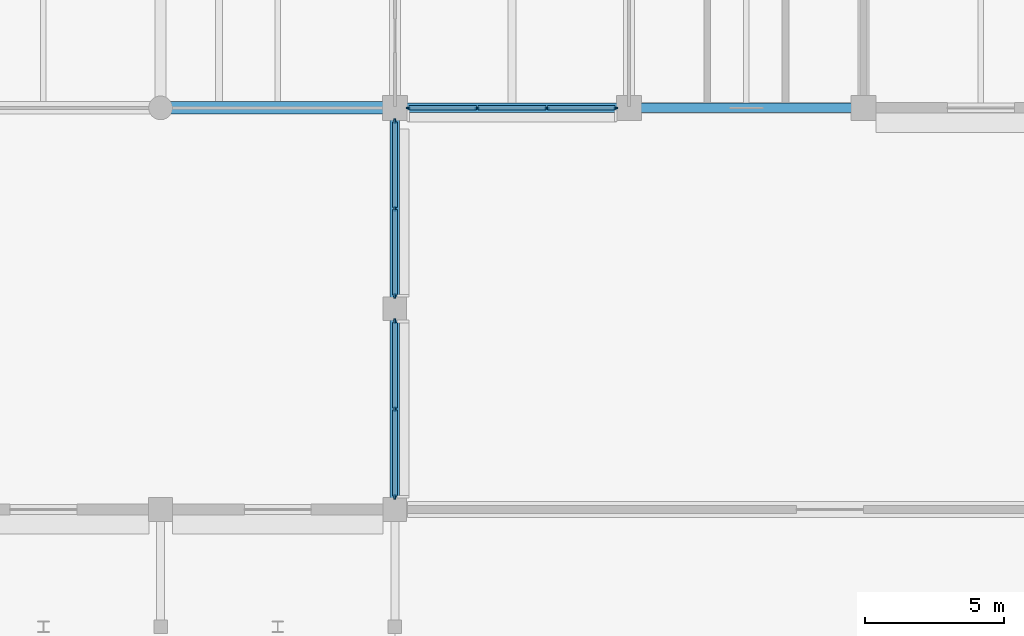
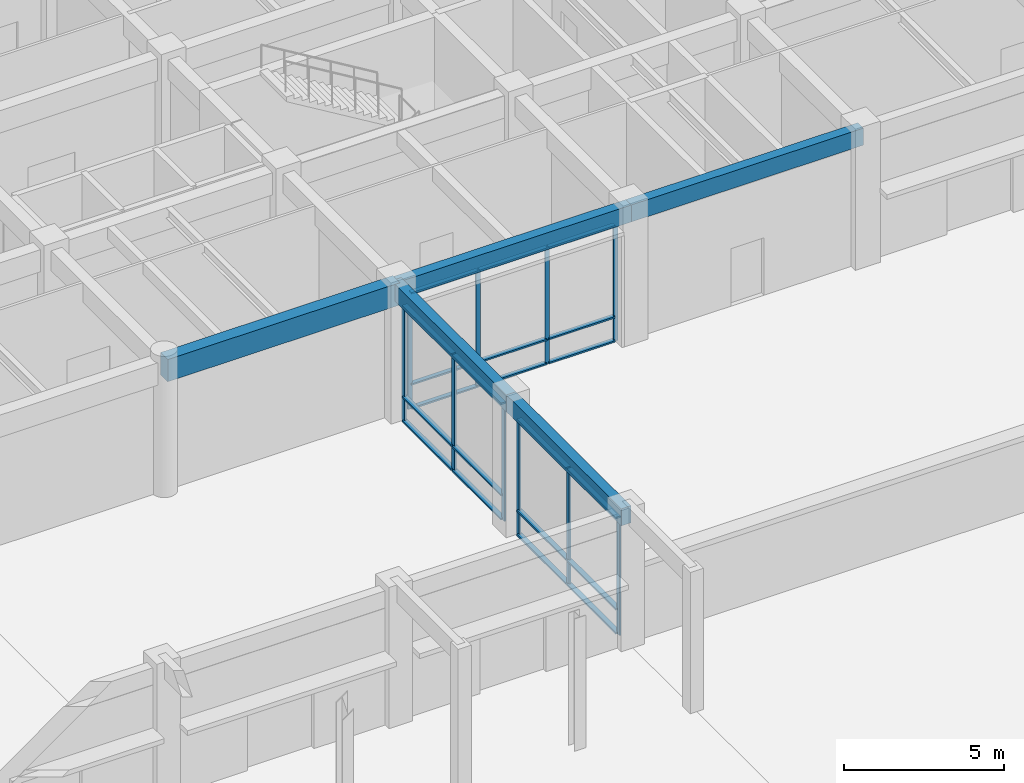
# One storey, part 22 of 73: 31 members, 5 beams, 3 elements without a shape of their own.
"""IFC4 building model written with IfcOpenShell, lengths in metres."""

from ifc_helpers import new_model, si_unit, direction, frame, origin, origin_2d, place, context, subcontext, project, spatial, rectangle, extrude, material, layer, layer_set, material_profile, profile_set, type_object, element, aggregate, save


model = new_model("IFC4")

# Units and contexts
model_context = context("Model", 3, precision=1e-05, world=origin(), true_north=direction((0.0, 1.0)))
body_context = subcontext(model_context, "Body", "Model", "MODEL_VIEW")
ifc_project = project(units=[si_unit("LENGTHUNIT", "METRE"), si_unit("AREAUNIT", "SQUARE_METRE"), si_unit("VOLUMEUNIT", "CUBIC_METRE"), si_unit("PLANEANGLEUNIT", "RADIAN"), si_unit("MASSUNIT", "GRAM", prefix="KILO")], contexts=[model_context])

# Site, building, storey
site_placement = place(None, origin())
site = spatial("IfcSite", under=ifc_project, at=site_placement, CompositionType="ELEMENT")
building_placement = place(site_placement, origin())
building = spatial("IfcBuilding", under=site, at=building_placement, Name="Chengyuan Square Courthouse", CompositionType="ELEMENT")
storey_placement = place(building_placement, origin())
storey = spatial("IfcBuildingStorey", under=building, at=storey_placement, Name="L01", CompositionType="ELEMENT", Elevation=0.0)

# Beams
ifc_material_1 = material(Name="Concrete C40", Category="concrete")
ifc_material_profile_1 = material_profile(ifc_material_1, rectangle(XDim=0.449951171875, YDim=0.85009765625, at=origin_2d()), Name="RC-BM-450x850")
ifc_profile_set_1 = profile_set([ifc_material_profile_1], Name="Concrete C40")
beam_type_1 = type_object("IfcBeamType", Name="BM-01", PredefinedType="USERDEFINED", material=ifc_profile_set_1)
beam_1_placement = place(storey_placement, frame((92.39990234375, 79.199951171875, 4.695068359375), z_axis=(1.0, 0.0, 0.0), x_axis=(0.0, 1.0, 0.0)))
element("IfcBeam", 1, at=beam_1_placement, inside=storey, type_object=beam_type_1, Name="Girder BM-L01-1700", ObjectType="GIRDER", PredefinedType="USERDEFINED", context=body_context, shape_type="SweptSolid", body=[
    extrude(rectangle(XDim=0.449951171875, YDim=0.85009765625, at=origin_2d()), origin(), (0.0, 0.0, 1.0), 8.400146484375),
])
ifc_material_profile_2 = material_profile(ifc_material_1, rectangle(XDim=0.35009765625, YDim=0.64990234375, at=origin_2d()), Name="RC-BM-350x650")
ifc_profile_set_2 = profile_set([ifc_material_profile_2], Name="Concrete C40")
beam_type_2 = type_object("IfcBeamType", Name="BM-03", PredefinedType="SPANDREL", material=ifc_profile_set_2)
beam_2_placement = place(storey_placement, frame((100.800048828125, 79.199951171875, 4.794921875), z_axis=(1.0, 0.0, 0.0), x_axis=(0.0, 1.0, 0.0)))
element("IfcBeam", 2, at=beam_2_placement, inside=storey, type_object=beam_type_2, Name="Girder BM-L01-1701", PredefinedType="SPANDREL", context=body_context, shape_type="SweptSolid", body=[
    extrude(rectangle(XDim=0.35009765625, YDim=0.64990234375, at=origin_2d()), origin(), (0.0, 0.0, 1.0), 8.39990234375),
])
beam_3_placement = place(storey_placement, frame((109.199951171875, 79.199951171875, 4.794921875), z_axis=(1.0, 0.0, 0.0), x_axis=(0.0, 1.0, 0.0)))
element("IfcBeam", 3, at=beam_3_placement, inside=storey, type_object=beam_type_2, Name="Girder BM-L01-1702", PredefinedType="SPANDREL", context=body_context, shape_type="SweptSolid", body=[
    extrude(rectangle(XDim=0.35009765625, YDim=0.64990234375, at=origin_2d()), origin(), (0.0, 0.0, 1.0), 8.400146484375),
])
for number, where, z_axis, x_axis, name in (
    (4, (100.800048828125, 64.800048828125, 4.794921875), (0.0, 1.0, 0.0), (-1.0, 0.0, 0.0), "Girder BM-L01-1883"),
    (5, (100.800048828125, 72.0, 4.794921875), (0.0, 1.0, 0.0), (-1.0, 0.0, 0.0), "Girder BM-L01-1884"),
):
    element("IfcBeam", number, at=place(storey_placement, frame(where, z_axis=z_axis, x_axis=x_axis)), inside=storey, type_object=beam_type_2, Name=name, PredefinedType="SPANDREL", context=body_context, shape_type="SweptSolid", body=[
        extrude(rectangle(XDim=0.35009765625, YDim=0.64990234375, at=origin_2d()), origin(), (0.0, 0.0, 1.0), 7.199951171875),
    ])

# Curtain wall, members
ifc_material_2 = material(Name="Unitised Aluminium and Triple Low-E Glass", Category="aluminium")
ifc_layer_1 = layer(ifc_material_2, 0.159912109375)
ifc_layer_set_1 = layer_set([ifc_layer_1], Name="Unitised Aluminium and Triple Low-E Glass")
curtain_wall_type_1 = type_object("IfcCurtainWallType", Name="CW-01", PredefinedType="USERDEFINED", material=ifc_layer_set_1)
curtain_wall_1_placement = place(storey_placement, origin())
curtain_wall_1 = element("IfcCurtainWall", 6, at=curtain_wall_1_placement, inside=storey, type_object=curtain_wall_type_1, Name="Unitised Curtain Wall CW-L01-024", ObjectType="UNITISED CURTAIN WALL", PredefinedType="USERDEFINED")
ifc_material_3 = material(Name="Aluminium 6063-T6 Frame", Category="aluminium")
ifc_material_profile_3 = material_profile(ifc_material_3, rectangle(XDim=0.06005859375, YDim=0.159912109375, at=origin_2d()), Name="CW-MUL-60x160")
ifc_profile_set_3 = profile_set([ifc_material_profile_3], Name="Aluminium 6063-T6 Frame")
member_type_1 = type_object("IfcMemberType", Name="CWM-01", PredefinedType="MULLION", material=ifc_profile_set_3)
member_1_placement = place(storey_placement, frame((101.280029296875, 79.199951171875, 0.0), z_axis=(0.0, 0.0, 1.0), x_axis=(0.0, 1.0, 0.0)))
member_1 = element("IfcMember", 7, at=member_1_placement, type_object=member_type_1, Name="CW-01 mullion 1", PredefinedType="MULLION", context=body_context, shape_type="SweptSolid", body=[
    extrude(rectangle(XDim=0.06005859375, YDim=0.159912109375, at=origin_2d()), origin(), (0.0, 0.0, 1.0), 4.469970703125),
])
member_2_placement = place(storey_placement, frame((103.75, 79.199951171875, 0.0), z_axis=(0.0, 0.0, 1.0), x_axis=(0.0, 1.0, 0.0)))
member_2 = element("IfcMember", 8, at=member_2_placement, type_object=member_type_1, Name="CW-01 mullion 2", PredefinedType="MULLION", context=body_context, shape_type="SweptSolid", body=[
    extrude(rectangle(XDim=0.06005859375, YDim=0.159912109375, at=origin_2d()), origin(), (0.0, 0.0, 1.0), 4.469970703125),
])
member_3_placement = place(storey_placement, frame((106.25, 79.199951171875, 0.0), z_axis=(0.0, 0.0, 1.0), x_axis=(0.0, 1.0, 0.0)))
member_3 = element("IfcMember", 9, at=member_3_placement, type_object=member_type_1, Name="CW-01 mullion 3", PredefinedType="MULLION", context=body_context, shape_type="SweptSolid", body=[
    extrude(rectangle(XDim=0.06005859375, YDim=0.159912109375, at=origin_2d()), origin(), (0.0, 0.0, 1.0), 4.469970703125),
])
member_4_placement = place(storey_placement, frame((108.719970703125, 79.199951171875, 0.0), z_axis=(0.0, 0.0, 1.0), x_axis=(0.0, 1.0, 0.0)))
member_4 = element("IfcMember", 10, at=member_4_placement, type_object=member_type_1, Name="CW-01 mullion 4", PredefinedType="MULLION", context=body_context, shape_type="SweptSolid", body=[
    extrude(rectangle(XDim=0.06005859375, YDim=0.159912109375, at=origin_2d()), origin(), (0.0, 0.0, 1.0), 4.469970703125),
])

ifc_layer_2 = layer(ifc_material_2, 0.179931640625)
ifc_layer_set_2 = layer_set([ifc_layer_2], Name="Unitised Aluminium and Triple Low-E Glass")
curtain_wall_type_2 = type_object("IfcCurtainWallType", Name="CW-14", PredefinedType="USERDEFINED", material=ifc_layer_set_2)
curtain_wall_2_placement = place(storey_placement, origin())
curtain_wall_2 = element("IfcCurtainWall", 11, at=curtain_wall_2_placement, inside=storey, type_object=curtain_wall_type_2, Name="Unitised Curtain Wall CW-L01-022", ObjectType="UNITISED CURTAIN WALL", PredefinedType="USERDEFINED")
ifc_material_profile_4 = material_profile(ifc_material_3, rectangle(XDim=0.06494140625, YDim=0.179931640625, at=origin_2d()), Name="CW-MUL-65x180")
ifc_profile_set_4 = profile_set([ifc_material_profile_4], Name="Aluminium 6063-T6 Frame")
member_type_2 = type_object("IfcMemberType", Name="CWM-02", PredefinedType="MULLION", material=ifc_profile_set_4)
member_5_placement = place(storey_placement, frame((100.800048828125, 65.257568359375, 0.0), z_axis=(0.0, 0.0, 1.0), x_axis=(-1.0, 0.0, 0.0)))
member_5 = element("IfcMember", 12, at=member_5_placement, type_object=member_type_2, Name="CW-14 mullion 1", PredefinedType="MULLION", context=body_context, shape_type="SweptSolid", body=[
    extrude(rectangle(XDim=0.06494140625, YDim=0.179931640625, at=origin_2d()), origin(), (0.0, 0.0, 1.0), 4.469970703125),
])
member_6_placement = place(storey_placement, frame((100.800048828125, 68.39990234375, 0.0), z_axis=(0.0, 0.0, 1.0), x_axis=(-1.0, 0.0, 0.0)))
member_6 = element("IfcMember", 13, at=member_6_placement, type_object=member_type_2, Name="CW-14 mullion 2", PredefinedType="MULLION", context=body_context, shape_type="SweptSolid", body=[
    extrude(rectangle(XDim=0.06494140625, YDim=0.179931640625, at=origin_2d()), origin(), (0.0, 0.0, 1.0), 4.469970703125),
])
member_7_placement = place(storey_placement, frame((100.800048828125, 71.54248046875, 0.0), z_axis=(0.0, 0.0, 1.0), x_axis=(-1.0, 0.0, 0.0)))
member_7 = element("IfcMember", 14, at=member_7_placement, type_object=member_type_2, Name="CW-14 mullion 3", PredefinedType="MULLION", context=body_context, shape_type="SweptSolid", body=[
    extrude(rectangle(XDim=0.06494140625, YDim=0.179931640625, at=origin_2d()), origin(), (0.0, 0.0, 1.0), 4.469970703125),
])

curtain_wall_3_placement = place(storey_placement, origin())
curtain_wall_3 = element("IfcCurtainWall", 15, at=curtain_wall_3_placement, inside=storey, type_object=curtain_wall_type_2, Name="Unitised Curtain Wall CW-L01-023", ObjectType="UNITISED CURTAIN WALL", PredefinedType="USERDEFINED")
member_8_placement = place(storey_placement, frame((100.800048828125, 72.45751953125, 0.0), z_axis=(0.0, 0.0, 1.0), x_axis=(-1.0, 0.0, 0.0)))
member_8 = element("IfcMember", 16, at=member_8_placement, type_object=member_type_2, Name="CW-14 mullion 1", PredefinedType="MULLION", context=body_context, shape_type="SweptSolid", body=[
    extrude(rectangle(XDim=0.06494140625, YDim=0.179931640625, at=origin_2d()), origin(), (0.0, 0.0, 1.0), 4.469970703125),
])
member_9_placement = place(storey_placement, frame((100.800048828125, 75.58740234375, 0.0), z_axis=(0.0, 0.0, 1.0), x_axis=(-1.0, 0.0, 0.0)))
member_9 = element("IfcMember", 17, at=member_9_placement, type_object=member_type_2, Name="CW-14 mullion 2", PredefinedType="MULLION", context=body_context, shape_type="SweptSolid", body=[
    extrude(rectangle(XDim=0.06494140625, YDim=0.179931640625, at=origin_2d()), origin(), (0.0, 0.0, 1.0), 4.469970703125),
])
member_10_placement = place(storey_placement, frame((100.800048828125, 78.717529296875, 0.0), z_axis=(0.0, 0.0, 1.0), x_axis=(-1.0, 0.0, 0.0)))
member_10 = element("IfcMember", 18, at=member_10_placement, type_object=member_type_2, Name="CW-14 mullion 3", PredefinedType="MULLION", context=body_context, shape_type="SweptSolid", body=[
    extrude(rectangle(XDim=0.06494140625, YDim=0.179931640625, at=origin_2d()), origin(), (0.0, 0.0, 1.0), 4.469970703125),
])

# Member
ifc_material_profile_5 = material_profile(ifc_material_3, rectangle(XDim=0.159912109375, YDim=0.06005859375, at=origin_2d()), Name="CW-TRN-60x120")
ifc_profile_set_5 = profile_set([ifc_material_profile_5], Name="Aluminium 6063-T6 Frame")
member_type_3 = type_object("IfcMemberType", Name="CWT-01", PredefinedType="USERDEFINED", material=ifc_profile_set_5)
member_11_placement = place(storey_placement, frame((101.31005859375, 79.199951171875, 0.030029296875), z_axis=(1.0, 0.0, 0.0), x_axis=(0.0, 1.0, 0.0)))
member_11 = element("IfcMember", 19, at=member_11_placement, type_object=member_type_3, Name="CW-01 transom 1.1", ObjectType="TRANSOM", PredefinedType="USERDEFINED", context=body_context, shape_type="SweptSolid", body=[
    extrude(rectangle(XDim=0.159912109375, YDim=0.06005859375, at=origin_2d()), origin(), (0.0, 0.0, 1.0), 2.409912109375),
])

member_12_placement = place(storey_placement, frame((101.31005859375, 79.199951171875, 0.949951171875), z_axis=(1.0, 0.0, 0.0), x_axis=(0.0, 1.0, 0.0)))
member_12 = element("IfcMember", 20, at=member_12_placement, type_object=member_type_3, Name="CW-01 transom 1.2", ObjectType="TRANSOM", PredefinedType="USERDEFINED", context=body_context, shape_type="SweptSolid", body=[
    extrude(rectangle(XDim=0.159912109375, YDim=0.06005859375, at=origin_2d()), origin(), (0.0, 0.0, 1.0), 2.409912109375),
])

member_13_placement = place(storey_placement, frame((101.31005859375, 79.199951171875, 4.43994140625), z_axis=(1.0, 0.0, 0.0), x_axis=(0.0, 1.0, 0.0)))
member_13 = element("IfcMember", 21, at=member_13_placement, type_object=member_type_3, Name="CW-01 transom 1.3", ObjectType="TRANSOM", PredefinedType="USERDEFINED", context=body_context, shape_type="SweptSolid", body=[
    extrude(rectangle(XDim=0.159912109375, YDim=0.06005859375, at=origin_2d()), origin(), (0.0, 0.0, 1.0), 2.409912109375),
])

member_14_placement = place(storey_placement, frame((103.780029296875, 79.199951171875, 0.030029296875), z_axis=(1.0, 0.0, 0.0), x_axis=(0.0, 1.0, 0.0)))
member_14 = element("IfcMember", 22, at=member_14_placement, type_object=member_type_3, Name="CW-01 transom 2.1", ObjectType="TRANSOM", PredefinedType="USERDEFINED", context=body_context, shape_type="SweptSolid", body=[
    extrude(rectangle(XDim=0.159912109375, YDim=0.06005859375, at=origin_2d()), origin(), (0.0, 0.0, 1.0), 2.43994140625),
])

member_15_placement = place(storey_placement, frame((103.780029296875, 79.199951171875, 0.949951171875), z_axis=(1.0, 0.0, 0.0), x_axis=(0.0, 1.0, 0.0)))
member_15 = element("IfcMember", 23, at=member_15_placement, type_object=member_type_3, Name="CW-01 transom 2.2", ObjectType="TRANSOM", PredefinedType="USERDEFINED", context=body_context, shape_type="SweptSolid", body=[
    extrude(rectangle(XDim=0.159912109375, YDim=0.06005859375, at=origin_2d()), origin(), (0.0, 0.0, 1.0), 2.43994140625),
])

member_16_placement = place(storey_placement, frame((103.780029296875, 79.199951171875, 4.43994140625), z_axis=(1.0, 0.0, 0.0), x_axis=(0.0, 1.0, 0.0)))
member_16 = element("IfcMember", 24, at=member_16_placement, type_object=member_type_3, Name="CW-01 transom 2.3", ObjectType="TRANSOM", PredefinedType="USERDEFINED", context=body_context, shape_type="SweptSolid", body=[
    extrude(rectangle(XDim=0.159912109375, YDim=0.06005859375, at=origin_2d()), origin(), (0.0, 0.0, 1.0), 2.43994140625),
])

member_17_placement = place(storey_placement, frame((106.280029296875, 79.199951171875, 0.030029296875), z_axis=(1.0, 0.0, 0.0), x_axis=(0.0, 1.0, 0.0)))
member_17 = element("IfcMember", 25, at=member_17_placement, type_object=member_type_3, Name="CW-01 transom 3.1", ObjectType="TRANSOM", PredefinedType="USERDEFINED", context=body_context, shape_type="SweptSolid", body=[
    extrude(rectangle(XDim=0.159912109375, YDim=0.06005859375, at=origin_2d()), origin(), (0.0, 0.0, 1.0), 2.409912109375),
])

member_18_placement = place(storey_placement, frame((106.280029296875, 79.199951171875, 0.949951171875), z_axis=(1.0, 0.0, 0.0), x_axis=(0.0, 1.0, 0.0)))
member_18 = element("IfcMember", 26, at=member_18_placement, type_object=member_type_3, Name="CW-01 transom 3.2", ObjectType="TRANSOM", PredefinedType="USERDEFINED", context=body_context, shape_type="SweptSolid", body=[
    extrude(rectangle(XDim=0.159912109375, YDim=0.06005859375, at=origin_2d()), origin(), (0.0, 0.0, 1.0), 2.409912109375),
])

member_19_placement = place(storey_placement, frame((106.280029296875, 79.199951171875, 4.43994140625), z_axis=(1.0, 0.0, 0.0), x_axis=(0.0, 1.0, 0.0)))
member_19 = element("IfcMember", 27, at=member_19_placement, type_object=member_type_3, Name="CW-01 transom 3.3", ObjectType="TRANSOM", PredefinedType="USERDEFINED", context=body_context, shape_type="SweptSolid", body=[
    extrude(rectangle(XDim=0.159912109375, YDim=0.06005859375, at=origin_2d()), origin(), (0.0, 0.0, 1.0), 2.409912109375),
])

aggregate(curtain_wall_1, [member_1, member_2, member_3, member_4, member_11, member_12, member_13, member_14, member_15, member_16, member_17, member_18, member_19])

ifc_material_profile_6 = material_profile(ifc_material_3, rectangle(XDim=0.179931640625, YDim=0.06494140625, at=origin_2d()), Name="CW-TRN-65x140")
ifc_profile_set_6 = profile_set([ifc_material_profile_6], Name="Aluminium 6063-T6 Frame")
member_type_4 = type_object("IfcMemberType", Name="CWT-02", PredefinedType="USERDEFINED", material=ifc_profile_set_6)
member_20_placement = place(storey_placement, frame((100.800048828125, 65.2900390625, 0.032470703125), z_axis=(0.0, 1.0, 0.0), x_axis=(-1.0, 0.0, 0.0)))
member_20 = element("IfcMember", 28, at=member_20_placement, type_object=member_type_4, Name="CW-14 transom 1.1", ObjectType="TRANSOM", PredefinedType="USERDEFINED", context=body_context, shape_type="SweptSolid", body=[
    extrude(rectangle(XDim=0.179931640625, YDim=0.06494140625, at=origin_2d()), origin(), (0.0, 0.0, 1.0), 3.077392578125),
])

member_21_placement = place(storey_placement, frame((100.800048828125, 65.2900390625, 0.949951171875), z_axis=(0.0, 1.0, 0.0), x_axis=(-1.0, 0.0, 0.0)))
member_21 = element("IfcMember", 29, at=member_21_placement, type_object=member_type_4, Name="CW-14 transom 1.2", ObjectType="TRANSOM", PredefinedType="USERDEFINED", context=body_context, shape_type="SweptSolid", body=[
    extrude(rectangle(XDim=0.179931640625, YDim=0.06494140625, at=origin_2d()), origin(), (0.0, 0.0, 1.0), 3.077392578125),
])

member_22_placement = place(storey_placement, frame((100.800048828125, 65.2900390625, 4.4375), z_axis=(0.0, 1.0, 0.0), x_axis=(-1.0, 0.0, 0.0)))
member_22 = element("IfcMember", 30, at=member_22_placement, type_object=member_type_4, Name="CW-14 transom 1.3", ObjectType="TRANSOM", PredefinedType="USERDEFINED", context=body_context, shape_type="SweptSolid", body=[
    extrude(rectangle(XDim=0.179931640625, YDim=0.06494140625, at=origin_2d()), origin(), (0.0, 0.0, 1.0), 3.077392578125),
])

member_23_placement = place(storey_placement, frame((100.800048828125, 68.4326171875, 0.032470703125), z_axis=(0.0, 1.0, 0.0), x_axis=(-1.0, 0.0, 0.0)))
member_23 = element("IfcMember", 31, at=member_23_placement, type_object=member_type_4, Name="CW-14 transom 2.1", ObjectType="TRANSOM", PredefinedType="USERDEFINED", context=body_context, shape_type="SweptSolid", body=[
    extrude(rectangle(XDim=0.179931640625, YDim=0.06494140625, at=origin_2d()), origin(), (0.0, 0.0, 1.0), 3.077392578125),
])

member_24_placement = place(storey_placement, frame((100.800048828125, 68.4326171875, 0.949951171875), z_axis=(0.0, 1.0, 0.0), x_axis=(-1.0, 0.0, 0.0)))
member_24 = element("IfcMember", 32, at=member_24_placement, type_object=member_type_4, Name="CW-14 transom 2.2", ObjectType="TRANSOM", PredefinedType="USERDEFINED", context=body_context, shape_type="SweptSolid", body=[
    extrude(rectangle(XDim=0.179931640625, YDim=0.06494140625, at=origin_2d()), origin(), (0.0, 0.0, 1.0), 3.077392578125),
])

member_25_placement = place(storey_placement, frame((100.800048828125, 68.4326171875, 4.4375), z_axis=(0.0, 1.0, 0.0), x_axis=(-1.0, 0.0, 0.0)))
member_25 = element("IfcMember", 33, at=member_25_placement, type_object=member_type_4, Name="CW-14 transom 2.3", ObjectType="TRANSOM", PredefinedType="USERDEFINED", context=body_context, shape_type="SweptSolid", body=[
    extrude(rectangle(XDim=0.179931640625, YDim=0.06494140625, at=origin_2d()), origin(), (0.0, 0.0, 1.0), 3.077392578125),
])

aggregate(curtain_wall_2, [member_5, member_6, member_7, member_20, member_21, member_22, member_23, member_24, member_25])

member_26_placement = place(storey_placement, frame((100.800048828125, 72.489990234375, 0.032470703125), z_axis=(0.0, 1.0, 0.0), x_axis=(-1.0, 0.0, 0.0)))
member_26 = element("IfcMember", 34, at=member_26_placement, type_object=member_type_4, Name="CW-14 transom 1.1", ObjectType="TRANSOM", PredefinedType="USERDEFINED", context=body_context, shape_type="SweptSolid", body=[
    extrude(rectangle(XDim=0.179931640625, YDim=0.06494140625, at=origin_2d()), origin(), (0.0, 0.0, 1.0), 3.06494140625),
])

member_27_placement = place(storey_placement, frame((100.800048828125, 72.489990234375, 0.949951171875), z_axis=(0.0, 1.0, 0.0), x_axis=(-1.0, 0.0, 0.0)))
member_27 = element("IfcMember", 35, at=member_27_placement, type_object=member_type_4, Name="CW-14 transom 1.2", ObjectType="TRANSOM", PredefinedType="USERDEFINED", context=body_context, shape_type="SweptSolid", body=[
    extrude(rectangle(XDim=0.179931640625, YDim=0.06494140625, at=origin_2d()), origin(), (0.0, 0.0, 1.0), 3.06494140625),
])

member_28_placement = place(storey_placement, frame((100.800048828125, 72.489990234375, 4.4375), z_axis=(0.0, 1.0, 0.0), x_axis=(-1.0, 0.0, 0.0)))
member_28 = element("IfcMember", 36, at=member_28_placement, type_object=member_type_4, Name="CW-14 transom 1.3", ObjectType="TRANSOM", PredefinedType="USERDEFINED", context=body_context, shape_type="SweptSolid", body=[
    extrude(rectangle(XDim=0.179931640625, YDim=0.06494140625, at=origin_2d()), origin(), (0.0, 0.0, 1.0), 3.06494140625),
])

member_29_placement = place(storey_placement, frame((100.800048828125, 75.6201171875, 0.032470703125), z_axis=(0.0, 1.0, 0.0), x_axis=(-1.0, 0.0, 0.0)))
member_29 = element("IfcMember", 37, at=member_29_placement, type_object=member_type_4, Name="CW-14 transom 2.1", ObjectType="TRANSOM", PredefinedType="USERDEFINED", context=body_context, shape_type="SweptSolid", body=[
    extrude(rectangle(XDim=0.179931640625, YDim=0.06494140625, at=origin_2d()), origin(), (0.0, 0.0, 1.0), 3.06494140625),
])

member_30_placement = place(storey_placement, frame((100.800048828125, 75.6201171875, 0.949951171875), z_axis=(0.0, 1.0, 0.0), x_axis=(-1.0, 0.0, 0.0)))
member_30 = element("IfcMember", 38, at=member_30_placement, type_object=member_type_4, Name="CW-14 transom 2.2", ObjectType="TRANSOM", PredefinedType="USERDEFINED", context=body_context, shape_type="SweptSolid", body=[
    extrude(rectangle(XDim=0.179931640625, YDim=0.06494140625, at=origin_2d()), origin(), (0.0, 0.0, 1.0), 3.06494140625),
])

member_31_placement = place(storey_placement, frame((100.800048828125, 75.6201171875, 4.4375), z_axis=(0.0, 1.0, 0.0), x_axis=(-1.0, 0.0, 0.0)))
member_31 = element("IfcMember", 39, at=member_31_placement, type_object=member_type_4, Name="CW-14 transom 2.3", ObjectType="TRANSOM", PredefinedType="USERDEFINED", context=body_context, shape_type="SweptSolid", body=[
    extrude(rectangle(XDim=0.179931640625, YDim=0.06494140625, at=origin_2d()), origin(), (0.0, 0.0, 1.0), 3.06494140625),
])

aggregate(curtain_wall_3, [member_8, member_9, member_10, member_26, member_27, member_28, member_29, member_30, member_31])

save(model, "model.ifc")
